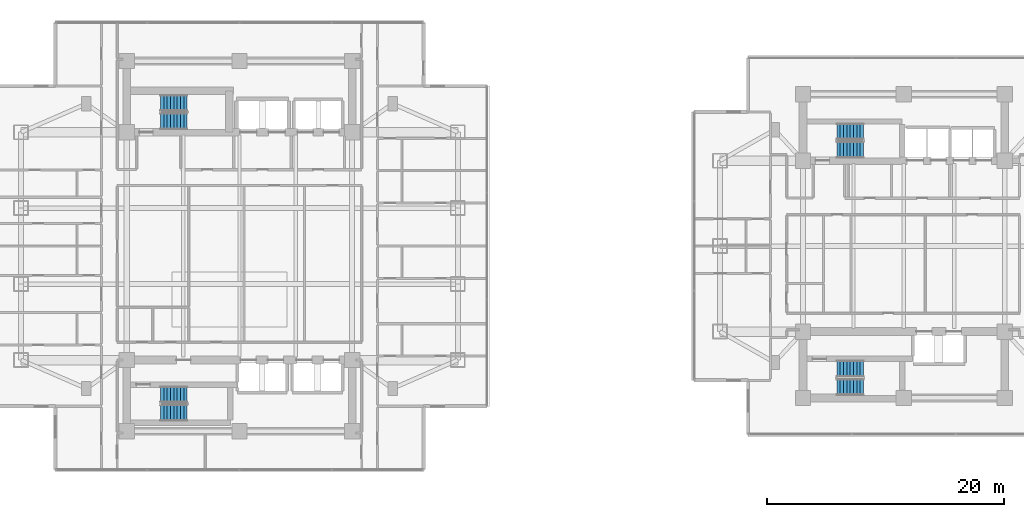
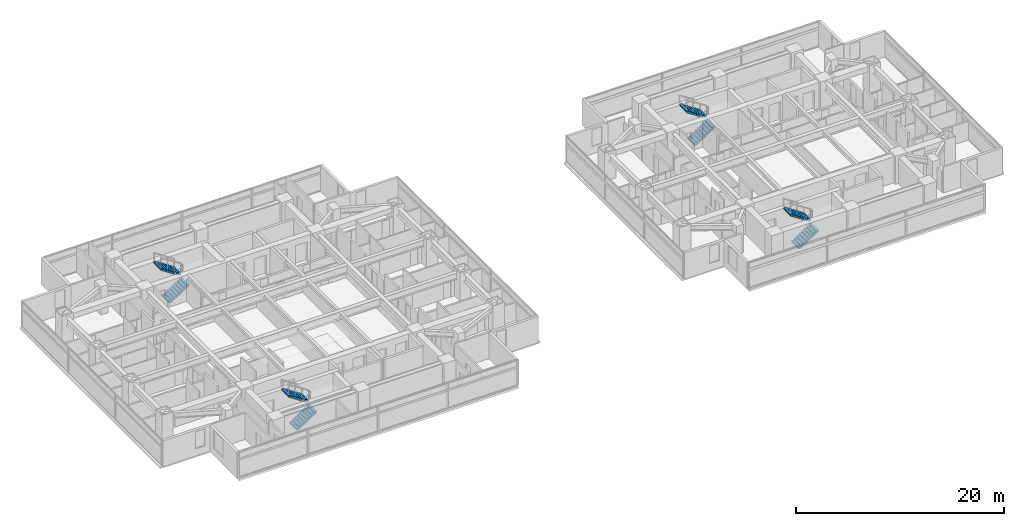
# One storey, part 20 of 27: 8 stair flights, 4 elements without a shape of their own.
"""IFC4 building model written with IfcOpenShell, lengths in metres."""

from ifc_helpers import new_model, si_unit, direction, frame, origin, place, context, subcontext, project, spatial, polyline, outline, extrude, material, type_object, element, aggregate, save


model = new_model("IFC4")

# Units and contexts
model_context = context("Model", 3, precision=1e-05, world=origin(), true_north=direction((0.0, 1.0)))
body_context = subcontext(model_context, "Body", "Model", "MODEL_VIEW")
ifc_project = project(units=[si_unit("LENGTHUNIT", "METRE"), si_unit("AREAUNIT", "SQUARE_METRE"), si_unit("VOLUMEUNIT", "CUBIC_METRE"), si_unit("PLANEANGLEUNIT", "RADIAN"), si_unit("MASSUNIT", "GRAM", prefix="KILO")], contexts=[model_context])

# Site, building, storey
site_placement = place(None, origin())
site = spatial("IfcSite", under=ifc_project, at=site_placement, CompositionType="ELEMENT")
building_placement = place(site_placement, origin())
building = spatial("IfcBuilding", under=site, at=building_placement, Name="Mirazonda Arch Towers", CompositionType="ELEMENT")
storey_placement = place(building_placement, frame((0.0, 0.0, 55.39990234375)))
storey = spatial("IfcBuildingStorey", under=building, at=storey_placement, Name="L15", CompositionType="ELEMENT", Elevation=55.39990234375)

# Stair, stair flights
ifc_material = material(Name="Concrete C40/50", Category="concrete")
stair_type = type_object("IfcStairType", Name="STAIR-CORE-1400", PredefinedType="HALF_TURN_STAIR", material=ifc_material)
stair_1_placement = place(storey_placement, origin())
stair_1 = element("IfcStair", 1, at=stair_1_placement, inside=storey, type_object=stair_type, Name="L15 Protected Exit Stair ST-T1N", PredefinedType="HALF_TURN_STAIR")
stair_flight_type = type_object("IfcStairFlightType", Name="FLIGHT-1400", PredefinedType="STRAIGHT", material=ifc_material)
stair_flight_1_placement = place(storey_placement, frame((13.85009765625, 38.52001953125, 0.0), z_axis=(0.0, 0.0, 1.0), x_axis=(1.0, 0.0, 0.0)))
stair_flight_1 = element("IfcStairFlight", 2, at=stair_flight_1_placement, type_object=stair_flight_type, Name="ST-T1N flight 1", NumberOfRisers=9, NumberOfTreads=8, PredefinedType="STRAIGHT", RiserHeight=0.183333333, TreadLength=0.28, context=body_context, shape_type="SweptSolid", body=[
    extrude(outline(polyline([(0.0, 0.0), (0.0, 0.183349609375), (0.280029296875, 0.183349609375), (0.280029296875, 0.36669921875), (0.56005859375, 0.36669921875), (0.56005859375, 0.550048828125), (0.840087890625, 0.550048828125), (0.840087890625, 0.7333984375), (1.1201171875, 0.7333984375), (1.1201171875, 0.916748046875), (1.39990234375, 0.916748046875), (1.39990234375, 1.10009765625), (1.679931640625, 1.10009765625), (1.679931640625, 1.283447265625), (1.9599609375, 1.283447265625), (1.9599609375, 1.466552734375), (2.239990234375, 1.466552734375), (2.239990234375, 1.64990234375), (2.239990234375, 1.275634765625), (0.2919921875, 0.0), (0.0, 0.0)])), frame((0.0, 0.699951171875, 0.0), z_axis=(0.0, -1.0, 0.0), x_axis=(1.0, 0.0, 0.0)), (0.0, 0.0, 1.0), 1.39990234375),
])
stair_flight_2_placement = place(storey_placement, frame((16.090087890625, 40.06005859375, 1.650146484375), z_axis=(0.0, 0.0, 1.0), x_axis=(-1.0, 0.0, 0.0)))
stair_flight_2 = element("IfcStairFlight", 3, at=stair_flight_2_placement, type_object=stair_flight_type, Name="ST-T1N flight 2", NumberOfRisers=9, NumberOfTreads=8, PredefinedType="STRAIGHT", RiserHeight=0.183333333, TreadLength=0.28, context=body_context, shape_type="SweptSolid", body=[
    extrude(outline(polyline([(0.0, 0.0), (0.0, 0.183349609375), (0.280029296875, 0.183349609375), (0.280029296875, 0.36669921875), (0.56005859375, 0.36669921875), (0.56005859375, 0.550048828125), (0.840087890625, 0.550048828125), (0.840087890625, 0.7333984375), (1.1201171875, 0.7333984375), (1.1201171875, 0.916748046875), (1.39990234375, 0.916748046875), (1.39990234375, 1.10009765625), (1.679931640625, 1.10009765625), (1.679931640625, 1.283447265625), (1.9599609375, 1.283447265625), (1.9599609375, 1.466552734375), (2.239990234375, 1.466552734375), (2.239990234375, 1.64990234375), (2.239990234375, 1.275634765625), (0.2919921875, 0.0), (0.0, 0.0)])), frame((0.0, 0.699951171875, 0.0), z_axis=(0.0, -1.0, 0.0), x_axis=(1.0, 0.0, 0.0)), (0.0, 0.0, 1.0), 1.39990234375),
])
aggregate(stair_1, [stair_flight_1, stair_flight_2])

stair_2_placement = place(storey_placement, origin())
stair_2 = element("IfcStair", 4, at=stair_2_placement, inside=storey, type_object=stair_type, Name="L15 Protected Exit Stair ST-T1S", PredefinedType="HALF_TURN_STAIR")
stair_flight_3_placement = place(storey_placement, frame((13.85009765625, 13.949951171875, 0.0), z_axis=(0.0, 0.0, 1.0), x_axis=(1.0, 0.0, 0.0)))
stair_flight_3 = element("IfcStairFlight", 5, at=stair_flight_3_placement, type_object=stair_flight_type, Name="ST-T1S flight 1", NumberOfRisers=9, NumberOfTreads=8, PredefinedType="STRAIGHT", RiserHeight=0.183333333, TreadLength=0.28, context=body_context, shape_type="SweptSolid", body=[
    extrude(outline(polyline([(0.0, 0.0), (0.0, 0.183349609375), (0.280029296875, 0.183349609375), (0.280029296875, 0.36669921875), (0.56005859375, 0.36669921875), (0.56005859375, 0.550048828125), (0.840087890625, 0.550048828125), (0.840087890625, 0.7333984375), (1.1201171875, 0.7333984375), (1.1201171875, 0.916748046875), (1.39990234375, 0.916748046875), (1.39990234375, 1.10009765625), (1.679931640625, 1.10009765625), (1.679931640625, 1.283447265625), (1.9599609375, 1.283447265625), (1.9599609375, 1.466552734375), (2.239990234375, 1.466552734375), (2.239990234375, 1.64990234375), (2.239990234375, 1.275634765625), (0.2919921875, 0.0), (0.0, 0.0)])), frame((0.0, 0.699951171875, 0.0), z_axis=(0.0, -1.0, 0.0), x_axis=(1.0, 0.0, 0.0)), (0.0, 0.0, 1.0), 1.39990234375),
])
stair_flight_4_placement = place(storey_placement, frame((16.090087890625, 15.489990234375, 1.650146484375), z_axis=(0.0, 0.0, 1.0), x_axis=(-1.0, 0.0, 0.0)))
stair_flight_4 = element("IfcStairFlight", 6, at=stair_flight_4_placement, type_object=stair_flight_type, Name="ST-T1S flight 2", NumberOfRisers=9, NumberOfTreads=8, PredefinedType="STRAIGHT", RiserHeight=0.183333333, TreadLength=0.28, context=body_context, shape_type="SweptSolid", body=[
    extrude(outline(polyline([(0.0, 0.0), (0.0, 0.183349609375), (0.280029296875, 0.183349609375), (0.280029296875, 0.36669921875), (0.56005859375, 0.36669921875), (0.56005859375, 0.550048828125), (0.840087890625, 0.550048828125), (0.840087890625, 0.7333984375), (1.1201171875, 0.7333984375), (1.1201171875, 0.916748046875), (1.39990234375, 0.916748046875), (1.39990234375, 1.10009765625), (1.679931640625, 1.10009765625), (1.679931640625, 1.283447265625), (1.9599609375, 1.283447265625), (1.9599609375, 1.466552734375), (2.239990234375, 1.466552734375), (2.239990234375, 1.64990234375), (2.239990234375, 1.275634765625), (0.2919921875, 0.0), (0.0, 0.0)])), frame((0.0, 0.699951171875, 0.0), z_axis=(0.0, -1.0, 0.0), x_axis=(1.0, 0.0, 0.0)), (0.0, 0.0, 1.0), 1.39990234375),
])
aggregate(stair_2, [stair_flight_3, stair_flight_4])

stair_3_placement = place(storey_placement, origin())
stair_3 = element("IfcStair", 7, at=stair_3_placement, inside=storey, type_object=stair_type, Name="L15 Protected Exit Stair ST-T2N", PredefinedType="HALF_TURN_STAIR")
stair_flight_5_placement = place(storey_placement, frame((70.85009765625, 36.1201171875, 0.0), z_axis=(0.0, 0.0, 1.0), x_axis=(1.0, 0.0, 0.0)))
stair_flight_5 = element("IfcStairFlight", 8, at=stair_flight_5_placement, type_object=stair_flight_type, Name="ST-T2N flight 1", NumberOfRisers=9, NumberOfTreads=8, PredefinedType="STRAIGHT", RiserHeight=0.183333333, TreadLength=0.28, context=body_context, shape_type="SweptSolid", body=[
    extrude(outline(polyline([(0.0, 0.0), (0.0, 0.183349609375), (0.280029296875, 0.183349609375), (0.280029296875, 0.36669921875), (0.56005859375, 0.36669921875), (0.56005859375, 0.550048828125), (0.840087890625, 0.550048828125), (0.840087890625, 0.7333984375), (1.1201171875, 0.7333984375), (1.1201171875, 0.916748046875), (1.39990234375, 0.916748046875), (1.39990234375, 1.10009765625), (1.679931640625, 1.10009765625), (1.679931640625, 1.283447265625), (1.9599609375, 1.283447265625), (1.9599609375, 1.466552734375), (2.239990234375, 1.466552734375), (2.239990234375, 1.64990234375), (2.239990234375, 1.275634765625), (0.2919921875, 0.0), (0.0, 0.0)])), frame((0.0, 0.699951171875, 0.0), z_axis=(0.0, -1.0, 0.0), x_axis=(1.0, 0.0, 0.0)), (0.0, 0.0, 1.0), 1.39990234375),
])
stair_flight_6_placement = place(storey_placement, frame((73.090087890625, 37.659912109375, 1.650146484375), z_axis=(0.0, 0.0, 1.0), x_axis=(-1.0, 0.0, 0.0)))
stair_flight_6 = element("IfcStairFlight", 9, at=stair_flight_6_placement, type_object=stair_flight_type, Name="ST-T2N flight 2", NumberOfRisers=9, NumberOfTreads=8, PredefinedType="STRAIGHT", RiserHeight=0.183333333, TreadLength=0.28, context=body_context, shape_type="SweptSolid", body=[
    extrude(outline(polyline([(0.0, 0.0), (0.0, 0.183349609375), (0.280029296875, 0.183349609375), (0.280029296875, 0.36669921875), (0.56005859375, 0.36669921875), (0.56005859375, 0.550048828125), (0.840087890625, 0.550048828125), (0.840087890625, 0.7333984375), (1.1201171875, 0.7333984375), (1.1201171875, 0.916748046875), (1.39990234375, 0.916748046875), (1.39990234375, 1.10009765625), (1.679931640625, 1.10009765625), (1.679931640625, 1.283447265625), (1.9599609375, 1.283447265625), (1.9599609375, 1.466552734375), (2.239990234375, 1.466552734375), (2.239990234375, 1.64990234375), (2.239990234375, 1.275634765625), (0.2919921875, 0.0), (0.0, 0.0)])), frame((0.0, 0.699951171875, 0.0), z_axis=(0.0, -1.0, 0.0), x_axis=(1.0, 0.0, 0.0)), (0.0, 0.0, 1.0), 1.39990234375),
])
aggregate(stair_3, [stair_flight_5, stair_flight_6])

stair_4_placement = place(storey_placement, origin())
stair_4 = element("IfcStair", 10, at=stair_4_placement, inside=storey, type_object=stair_type, Name="L15 Protected Exit Stair ST-T2S", PredefinedType="HALF_TURN_STAIR")
stair_flight_7_placement = place(storey_placement, frame((70.85009765625, 16.1201171875, 0.0), z_axis=(0.0, 0.0, 1.0), x_axis=(1.0, 0.0, 0.0)))
stair_flight_7 = element("IfcStairFlight", 11, at=stair_flight_7_placement, type_object=stair_flight_type, Name="ST-T2S flight 1", NumberOfRisers=9, NumberOfTreads=8, PredefinedType="STRAIGHT", RiserHeight=0.183333333, TreadLength=0.28, context=body_context, shape_type="SweptSolid", body=[
    extrude(outline(polyline([(0.0, 0.0), (0.0, 0.183349609375), (0.280029296875, 0.183349609375), (0.280029296875, 0.36669921875), (0.56005859375, 0.36669921875), (0.56005859375, 0.550048828125), (0.840087890625, 0.550048828125), (0.840087890625, 0.7333984375), (1.1201171875, 0.7333984375), (1.1201171875, 0.916748046875), (1.39990234375, 0.916748046875), (1.39990234375, 1.10009765625), (1.679931640625, 1.10009765625), (1.679931640625, 1.283447265625), (1.9599609375, 1.283447265625), (1.9599609375, 1.466552734375), (2.239990234375, 1.466552734375), (2.239990234375, 1.64990234375), (2.239990234375, 1.275634765625), (0.2919921875, 0.0), (0.0, 0.0)])), frame((0.0, 0.699951171875, 0.0), z_axis=(0.0, -1.0, 0.0), x_axis=(1.0, 0.0, 0.0)), (0.0, 0.0, 1.0), 1.39990234375),
])
stair_flight_8_placement = place(storey_placement, frame((73.090087890625, 17.659912109375, 1.650146484375), z_axis=(0.0, 0.0, 1.0), x_axis=(-1.0, 0.0, 0.0)))
stair_flight_8 = element("IfcStairFlight", 12, at=stair_flight_8_placement, type_object=stair_flight_type, Name="ST-T2S flight 2", NumberOfRisers=9, NumberOfTreads=8, PredefinedType="STRAIGHT", RiserHeight=0.183333333, TreadLength=0.28, context=body_context, shape_type="SweptSolid", body=[
    extrude(outline(polyline([(0.0, 0.0), (0.0, 0.183349609375), (0.280029296875, 0.183349609375), (0.280029296875, 0.36669921875), (0.56005859375, 0.36669921875), (0.56005859375, 0.550048828125), (0.840087890625, 0.550048828125), (0.840087890625, 0.7333984375), (1.1201171875, 0.7333984375), (1.1201171875, 0.916748046875), (1.39990234375, 0.916748046875), (1.39990234375, 1.10009765625), (1.679931640625, 1.10009765625), (1.679931640625, 1.283447265625), (1.9599609375, 1.283447265625), (1.9599609375, 1.466552734375), (2.239990234375, 1.466552734375), (2.239990234375, 1.64990234375), (2.239990234375, 1.275634765625), (0.2919921875, 0.0), (0.0, 0.0)])), frame((0.0, 0.699951171875, 0.0), z_axis=(0.0, -1.0, 0.0), x_axis=(1.0, 0.0, 0.0)), (0.0, 0.0, 1.0), 1.39990234375),
])
aggregate(stair_4, [stair_flight_7, stair_flight_8])

save(model, "model.ifc")
